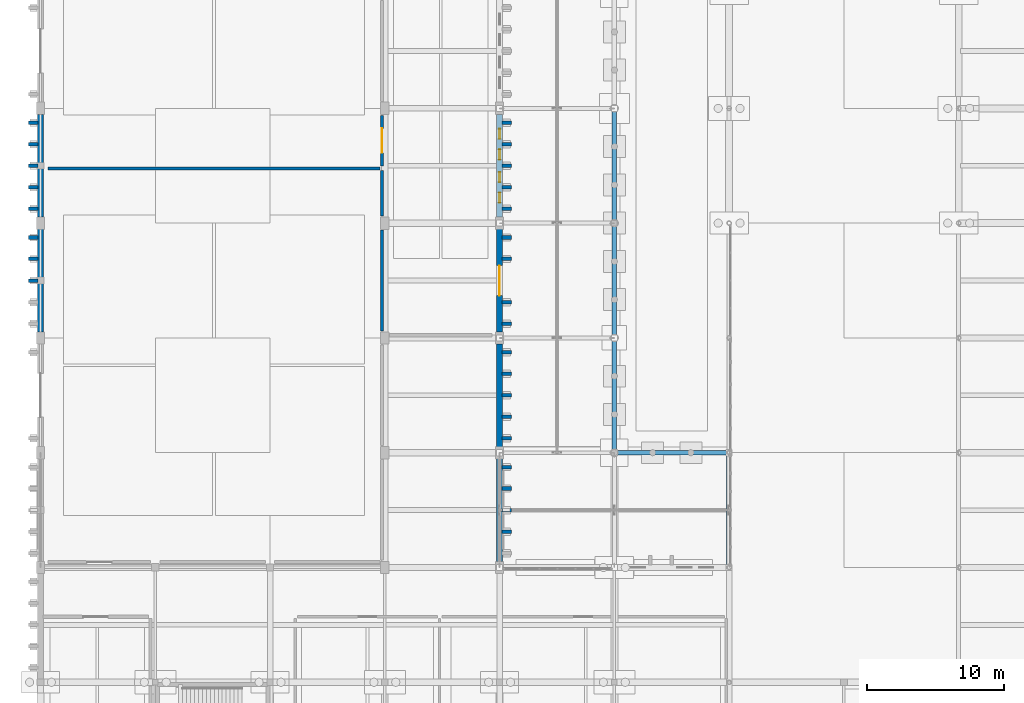
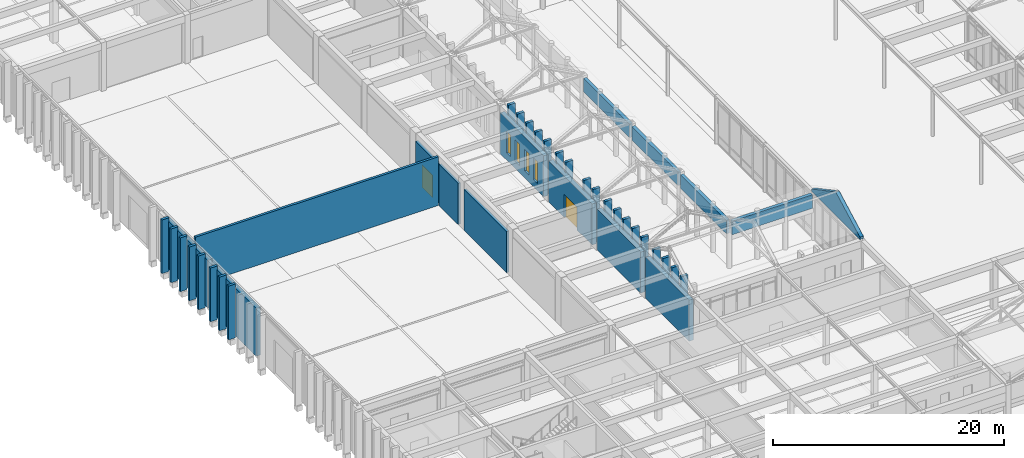
# One storey, part 109 of 143: 41 walls, 4 windows, 2 doors, 6 openings.
"""IFC4 building model written with IfcOpenShell, lengths in metres."""

from ifc_helpers import new_model, si_unit, direction, frame, frame_2d, origin, place, context, subcontext, project, spatial, polyline, rectangle, outline, extrude, material, layer, layer_set, type_object, element, fill, save


model = new_model("IFC4")

# Units and contexts
model_context = context("Model", 3, precision=1e-05, world=origin(), true_north=direction((0.0, 1.0)))
body_context = subcontext(model_context, "Body", "Model", "MODEL_VIEW")
ifc_project = project(units=[si_unit("LENGTHUNIT", "METRE"), si_unit("AREAUNIT", "SQUARE_METRE"), si_unit("VOLUMEUNIT", "CUBIC_METRE"), si_unit("PLANEANGLEUNIT", "RADIAN"), si_unit("MASSUNIT", "GRAM", prefix="KILO")], contexts=[model_context])

# Site, building, storey
site_placement = place(None, origin())
site = spatial("IfcSite", under=ifc_project, at=site_placement, CompositionType="ELEMENT")
building_placement = place(site_placement, origin())
building = spatial("IfcBuilding", under=site, at=building_placement, Name="Kveldsbrygga Polytechnic", CompositionType="ELEMENT")
storey_placement = place(building_placement, origin())
storey = spatial("IfcBuildingStorey", under=building, at=storey_placement, Name="L00", CompositionType="ELEMENT", Elevation=0.0)

# Walls
ifc_material_1 = material(Name="Fired clay brick masonry M10", Category="masonry")
ifc_layer_1 = layer(ifc_material_1, 0.320068359375)
ifc_layer_set_1 = layer_set([ifc_layer_1], Name="Fired clay brick masonry M10")
wall_type_1 = type_object("IfcWallType", Name="EW-ARC-320", PredefinedType="SOLIDWALL", material=ifc_layer_set_1)
wall_1_placement = place(storey_placement, frame((42.2099609375, 33.60009765625, 3.455078125), z_axis=(0.0, 0.0, 1.0), x_axis=(1.0, 0.0, 0.0)))
element("IfcWall", 1, at=wall_1_placement, inside=storey, type_object=wall_type_1, Name="Cloister Arcade Brick Arch Header ARC-HDR-01", PredefinedType="SOLIDWALL", context=body_context, shape_type="SweptSolid", body=[
    extrude(rectangle(XDim=8.04296875, YDim=0.320068359375, at=frame_2d((4.021484375, 0.0))), origin(), (0.0, 0.0, 1.0), 1.4248046875),
])
wall_2_placement = place(storey_placement, frame((42.0, 33.81005859375, 3.455078125), z_axis=(0.0, 0.0, 1.0), x_axis=(0.0, 1.0, 0.0)))
element("IfcWall", 2, at=wall_2_placement, inside=storey, type_object=wall_type_1, Name="Cloister Arcade Brick Arch Header ARC-HDR-03", PredefinedType="SOLIDWALL", context=body_context, shape_type="SweptSolid", body=[
    extrude(rectangle(XDim=7.97998046875, YDim=0.320068359375, at=frame_2d((3.989990234375, 0.0))), origin(), (0.0, 0.0, 1.0), 1.4248046875),
])
for number, where, z_axis, x_axis, name in (
    (3, (42.0, 42.2099609375, 3.455078125), (0.0, 0.0, 1.0), (0.0, 1.0, 0.0), "Cloister Arcade Brick Arch Header ARC-HDR-04"),
    (4, (42.0, 50.594970703125, 3.455078125), (0.0, 0.0, 1.0), (0.0, 1.0, 0.0), "Cloister Arcade Brick Arch Header ARC-HDR-05"),
):
    element("IfcWall", number, at=place(storey_placement, frame(where, z_axis=z_axis, x_axis=x_axis)), inside=storey, type_object=wall_type_1, Name=name, PredefinedType="SOLIDWALL", context=body_context, shape_type="SweptSolid", body=[
        extrude(rectangle(XDim=7.9951171875, YDim=0.320068359375, at=frame_2d((3.99755859375, 0.0))), origin(), (0.0, 0.0, 1.0), 1.4248046875),
    ])
ifc_layer_2 = layer(ifc_material_1, 0.419921875)
ifc_layer_set_2 = layer_set([ifc_layer_2], Name="Fired clay brick masonry M10")
wall_type_2 = type_object("IfcWallType", Name="EW-BRICK-420", PredefinedType="SOLIDWALL", material=ifc_layer_set_2)
for number, where, z_axis, x_axis, name in (
    (5, (0.0, 42.43505859375, 0.0), (0.0, 0.0, 1.0), (0.0, 1.0, 0.0), "Exterior Brick Wall EW-L00-Y-00-05"),
    (6, (0.0, 50.8349609375, 0.0), (0.0, 0.0, 1.0), (0.0, 1.0, 0.0), "Exterior Brick Wall EW-L00-Y-00-06"),
):
    element("IfcWall", number, at=place(storey_placement, frame(where, z_axis=z_axis, x_axis=x_axis)), inside=storey, type_object=wall_type_2, Name=name, PredefinedType="SOLIDWALL", context=body_context, shape_type="SweptSolid", body=[
        extrude(rectangle(XDim=7.530029296875, YDim=0.419921875, at=frame_2d((3.76513671875, 0.0))), origin(), (0.0, 0.0, 1.0), 5.0400390625),
    ])
for number, where, z_axis, x_axis, name in (
    (7, (33.60009765625, 25.635009765625, 0.0), (0.0, 0.0, 1.0), (0.0, 1.0, 0.0), "Exterior Brick Wall EW-L00-Y-04-03"),
    (8, (33.60009765625, 34.034912109375, 0.0), (0.0, 0.0, 1.0), (0.0, 1.0, 0.0), "Exterior Brick Wall EW-L00-Y-04-04"),
):
    element("IfcWall", number, at=place(storey_placement, frame(where, z_axis=z_axis, x_axis=x_axis)), inside=storey, type_object=wall_type_2, Name=name, PredefinedType="SOLIDWALL", context=body_context, shape_type="SweptSolid", body=[
        extrude(rectangle(XDim=7.530029296875, YDim=0.419921875, at=frame_2d((3.76513671875, 0.0))), origin(), (0.0, 0.0, 1.0), 4.35009765625),
    ])

# Wall, opening, door
wall_3_placement = place(storey_placement, frame((33.60009765625, 42.43505859375, 0.0), z_axis=(0.0, 0.0, 1.0), x_axis=(0.0, 1.0, 0.0)))
wall_3 = element("IfcWall", 9, at=wall_3_placement, inside=storey, type_object=wall_type_2, Name="Exterior Brick Wall EW-L00-Y-04-05", PredefinedType="SOLIDWALL", context=body_context, shape_type="SweptSolid", body=[
    extrude(rectangle(XDim=7.530029296875, YDim=0.419921875, at=frame_2d((3.76513671875, 0.0))), origin(), (0.0, 0.0, 1.0), 4.35009765625),
])
opening_1_placement = place(wall_3_placement, frame((2.6650390625, 0.0, 0.0)))
opening_1 = element("IfcOpeningElement", 10, at=opening_1_placement, cuts=wall_3, Name="Opening ED-02", PredefinedType="OPENING", context=body_context, shape_type="SweptSolid", body=[
    extrude(rectangle(XDim=2.199951171875, YDim=2.39990234375, at=frame_2d((1.10009765625, 1.199951171875))), frame((0.0, 0.219970703125, 0.0), z_axis=(0.0, -1.0, 0.0), x_axis=(1.0, 0.0, 0.0)), (0.0, 0.0, 1.0), 0.43994140625),
])
ifc_material_2 = material(Name="Anodised aluminium AW-6060", Category="aluminium")
door_type_1 = type_object("IfcDoorType", Name="ED-MAIN-220x240", OperationType="DOUBLE_DOOR_SINGLE_SWING", PredefinedType="DOOR", material=ifc_material_2)
door_1_placement = place(opening_1_placement, origin())
door_1 = element("IfcDoor", 11, at=door_1_placement, inside=storey, type_object=door_type_1, Name="Pedestrian Exit Door ED-02", OperationType="DOUBLE_DOOR_SINGLE_SWING", OverallHeight=2.39990234375, OverallWidth=2.199951171875, PredefinedType="DOOR", context=body_context, shape_type="SweptSolid", body=[
    extrude(rectangle(XDim=2.199951171875, YDim=2.39990234375, at=frame_2d((1.10009765625, 1.199951171875))), frame((0.0, 0.02490234375, 0.0), z_axis=(0.0, -1.0, 0.0), x_axis=(1.0, 0.0, 0.0)), (0.0, 0.0, 1.0), 0.050048828125),
])
fill(opening_1, door_1)

# Wall, openings, windows
wall_4_placement = place(storey_placement, frame((33.60009765625, 50.8349609375, 0.0), z_axis=(0.0, 0.0, 1.0), x_axis=(0.0, 1.0, 0.0)))
wall_4 = element("IfcWall", 12, at=wall_4_placement, inside=storey, type_object=wall_type_2, Name="Exterior Brick Wall EW-L00-Y-04-06", PredefinedType="SOLIDWALL", context=body_context, shape_type="SweptSolid", body=[
    extrude(rectangle(XDim=7.530029296875, YDim=0.419921875, at=frame_2d((3.76513671875, 0.0))), origin(), (0.0, 0.0, 1.0), 4.35009765625),
])
opening_2_placement = place(wall_4_placement, frame((1.060791015625, 0.0, 0.75)))
opening_2 = element("IfcOpeningElement", 13, at=opening_2_placement, cuts=wall_4, Name="Opening W-04", PredefinedType="OPENING", context=body_context, shape_type="SweptSolid", body=[
    extrude(rectangle(XDim=0.739990234375, YDim=2.300048828125, at=frame_2d((0.3701171875, 1.14990234375))), frame((0.0, 0.219970703125, 0.0), z_axis=(0.0, -1.0, 0.0), x_axis=(1.0, 0.0, 0.0)), (0.0, 0.0, 1.0), 0.43994140625),
])
opening_3_placement = place(wall_4_placement, frame((2.566650390625, 0.0, 0.75)))
opening_3 = element("IfcOpeningElement", 14, at=opening_3_placement, cuts=wall_4, Name="Opening W-04", PredefinedType="OPENING", context=body_context, shape_type="SweptSolid", body=[
    extrude(rectangle(XDim=0.739990234375, YDim=2.300048828125, at=frame_2d((0.3701171875, 1.14990234375))), frame((0.0, 0.219970703125, 0.0), z_axis=(0.0, -1.0, 0.0), x_axis=(1.0, 0.0, 0.0)), (0.0, 0.0, 1.0), 0.43994140625),
])
opening_4_placement = place(wall_4_placement, frame((4.223388671875, 0.0, 0.75)))
opening_4 = element("IfcOpeningElement", 15, at=opening_4_placement, cuts=wall_4, Name="Opening W-04", PredefinedType="OPENING", context=body_context, shape_type="SweptSolid", body=[
    extrude(rectangle(XDim=0.739990234375, YDim=2.300048828125, at=frame_2d((0.3701171875, 1.14990234375))), frame((0.0, 0.219970703125, 0.0), z_axis=(0.0, -1.0, 0.0), x_axis=(1.0, 0.0, 0.0)), (0.0, 0.0, 1.0), 0.43994140625),
])
opening_5_placement = place(wall_4_placement, frame((5.729248046875, 0.0, 0.75)))
opening_5 = element("IfcOpeningElement", 16, at=opening_5_placement, cuts=wall_4, Name="Opening W-04", PredefinedType="OPENING", context=body_context, shape_type="SweptSolid", body=[
    extrude(rectangle(XDim=0.739990234375, YDim=2.300048828125, at=frame_2d((0.3701171875, 1.14990234375))), frame((0.0, 0.219970703125, 0.0), z_axis=(0.0, -1.0, 0.0), x_axis=(1.0, 0.0, 0.0)), (0.0, 0.0, 1.0), 0.43994140625),
])
ifc_material_3 = material(Name="Insulated triple low-E glass", Category="glass")
window_type = type_object("IfcWindowType", Name="WN-LANC-074x230", PartitioningType="DOUBLE_PANEL_VERTICAL", PredefinedType="WINDOW", material=ifc_material_3)
window_1_placement = place(opening_2_placement, origin())
window_1 = element("IfcWindow", 17, at=window_1_placement, inside=storey, type_object=window_type, Name="Gothic Lancet Window WIN-L00-Y-04-06-1", OverallHeight=2.300048828125, OverallWidth=0.739990234375, PartitioningType="DOUBLE_PANEL_VERTICAL", PredefinedType="WINDOW", context=body_context, shape_type="SweptSolid", body=[
    extrude(rectangle(XDim=0.739990234375, YDim=2.300048828125, at=frame_2d((0.3701171875, 1.14990234375))), frame((0.0, 0.030029296875, 0.0), z_axis=(0.0, -1.0, 0.0), x_axis=(1.0, 0.0, 0.0)), (0.0, 0.0, 1.0), 0.06005859375),
])
fill(opening_2, window_1)
window_2_placement = place(opening_3_placement, origin())
window_2 = element("IfcWindow", 18, at=window_2_placement, inside=storey, type_object=window_type, Name="Gothic Lancet Window WIN-L00-Y-04-06-2", OverallHeight=2.300048828125, OverallWidth=0.739990234375, PartitioningType="DOUBLE_PANEL_VERTICAL", PredefinedType="WINDOW", context=body_context, shape_type="SweptSolid", body=[
    extrude(rectangle(XDim=0.739990234375, YDim=2.300048828125, at=frame_2d((0.3701171875, 1.14990234375))), frame((0.0, 0.030029296875, 0.0), z_axis=(0.0, -1.0, 0.0), x_axis=(1.0, 0.0, 0.0)), (0.0, 0.0, 1.0), 0.06005859375),
])
fill(opening_3, window_2)
window_3_placement = place(opening_4_placement, origin())
window_3 = element("IfcWindow", 19, at=window_3_placement, inside=storey, type_object=window_type, Name="Gothic Lancet Window WIN-L00-Y-04-06-3", OverallHeight=2.300048828125, OverallWidth=0.739990234375, PartitioningType="DOUBLE_PANEL_VERTICAL", PredefinedType="WINDOW", context=body_context, shape_type="SweptSolid", body=[
    extrude(rectangle(XDim=0.739990234375, YDim=2.300048828125, at=frame_2d((0.3701171875, 1.14990234375))), frame((0.0, 0.030029296875, 0.0), z_axis=(0.0, -1.0, 0.0), x_axis=(1.0, 0.0, 0.0)), (0.0, 0.0, 1.0), 0.06005859375),
])
fill(opening_4, window_3)
window_4_placement = place(opening_5_placement, origin())
window_4 = element("IfcWindow", 20, at=window_4_placement, inside=storey, type_object=window_type, Name="Gothic Lancet Window WIN-L00-Y-04-06-4", OverallHeight=2.300048828125, OverallWidth=0.739990234375, PartitioningType="DOUBLE_PANEL_VERTICAL", PredefinedType="WINDOW", context=body_context, shape_type="SweptSolid", body=[
    extrude(rectangle(XDim=0.739990234375, YDim=2.300048828125, at=frame_2d((0.3701171875, 1.14990234375))), frame((0.0, 0.030029296875, 0.0), z_axis=(0.0, -1.0, 0.0), x_axis=(1.0, 0.0, 0.0)), (0.0, 0.0, 1.0), 0.06005859375),
])
fill(opening_5, window_4)

# Walls
ifc_layer_3 = layer(ifc_material_1, 0.260009765625)
ifc_layer_set_3 = layer_set([ifc_layer_3], Name="Fired clay brick masonry M10")
wall_type_3 = type_object("IfcWallType", Name="EW-BUTT-260", PredefinedType="SOLIDWALL", material=ifc_layer_set_3)
for number, where, z_axis, x_axis, name in (
    (21, (-0.1650390625, 46.199951171875, -0.25), (0.0, 0.0, 1.0), (-1.0, 0.0, 0.0), "Gothic Brick Buttress Pier BUTT-L00-Y-00-05-3"),
    (22, (-0.1650390625, 47.780029296875, -0.25), (0.0, 0.0, 1.0), (-1.0, 0.0, 0.0), "Gothic Brick Buttress Pier BUTT-L00-Y-00-05-4"),
    (23, (-0.1650390625, 49.35009765625, -0.25), (0.0, 0.0, 1.0), (-1.0, 0.0, 0.0), "Gothic Brick Buttress Pier BUTT-L00-Y-00-05-5"),
    (24, (-0.1650390625, 51.449951171875, -0.25), (0.0, 0.0, 1.0), (-1.0, 0.0, 0.0), "Gothic Brick Buttress Pier BUTT-L00-Y-00-06-1"),
    (25, (-0.1650390625, 53.02001953125, -0.25), (0.0, 0.0, 1.0), (-1.0, 0.0, 0.0), "Gothic Brick Buttress Pier BUTT-L00-Y-00-06-2"),
    (26, (-0.1650390625, 54.60009765625, -0.25), (0.0, 0.0, 1.0), (-1.0, 0.0, 0.0), "Gothic Brick Buttress Pier BUTT-L00-Y-00-06-3"),
    (27, (-0.1650390625, 56.179931640625, -0.25), (0.0, 0.0, 1.0), (-1.0, 0.0, 0.0), "Gothic Brick Buttress Pier BUTT-L00-Y-00-06-4"),
    (28, (-0.1650390625, 57.75, -0.25), (0.0, 0.0, 1.0), (-1.0, 0.0, 0.0), "Gothic Brick Buttress Pier BUTT-L00-Y-00-06-5"),
):
    element("IfcWall", number, at=place(storey_placement, frame(where, z_axis=z_axis, x_axis=x_axis)), inside=storey, type_object=wall_type_3, Name=name, PredefinedType="SOLIDWALL", context=body_context, shape_type="SweptSolid", body=[
        extrude(rectangle(XDim=0.699951171875, YDim=0.260009765625, at=frame_2d((0.35009765625, 0.0))), origin(), (0.0, 0.0, 1.0), 5.68994140625),
    ])
for number, where, z_axis, x_axis, name in (
    (29, (33.764892578125, 27.820068359375, -0.25), (0.0, 0.0, 1.0), (1.0, 0.0, 0.0), "Gothic Brick Buttress Pier BUTT-L00-Y-04-03-2"),
    (30, (33.764892578125, 29.39990234375, -0.25), (0.0, 0.0, 1.0), (1.0, 0.0, 0.0), "Gothic Brick Buttress Pier BUTT-L00-Y-04-03-3"),
    (31, (33.764892578125, 30.97998046875, -0.25), (0.0, 0.0, 1.0), (1.0, 0.0, 0.0), "Gothic Brick Buttress Pier BUTT-L00-Y-04-03-4"),
    (32, (33.764892578125, 32.550048828125, -0.25), (0.0, 0.0, 1.0), (1.0, 0.0, 0.0), "Gothic Brick Buttress Pier BUTT-L00-Y-04-03-5"),
    (33, (33.764892578125, 34.64990234375, -0.25), (0.0, 0.0, 1.0), (1.0, 0.0, 0.0), "Gothic Brick Buttress Pier BUTT-L00-Y-04-04-1"),
    (34, (33.764892578125, 36.219970703125, -0.25), (0.0, 0.0, 1.0), (1.0, 0.0, 0.0), "Gothic Brick Buttress Pier BUTT-L00-Y-04-04-2"),
    (35, (33.764892578125, 37.800048828125, -0.25), (0.0, 0.0, 1.0), (1.0, 0.0, 0.0), "Gothic Brick Buttress Pier BUTT-L00-Y-04-04-3"),
    (36, (33.764892578125, 39.3798828125, -0.25), (0.0, 0.0, 1.0), (1.0, 0.0, 0.0), "Gothic Brick Buttress Pier BUTT-L00-Y-04-04-4"),
    (37, (33.764892578125, 40.949951171875, -0.25), (0.0, 0.0, 1.0), (1.0, 0.0, 0.0), "Gothic Brick Buttress Pier BUTT-L00-Y-04-04-5"),
    (38, (33.764892578125, 43.050048828125, -0.25), (0.0, 0.0, 1.0), (1.0, 0.0, 0.0), "Gothic Brick Buttress Pier BUTT-L00-Y-04-05-1"),
    (39, (33.764892578125, 44.6201171875, -0.25), (0.0, 0.0, 1.0), (1.0, 0.0, 0.0), "Gothic Brick Buttress Pier BUTT-L00-Y-04-05-2"),
    (40, (33.764892578125, 47.780029296875, -0.25), (0.0, 0.0, 1.0), (1.0, 0.0, 0.0), "Gothic Brick Buttress Pier BUTT-L00-Y-04-05-4"),
    (41, (33.764892578125, 49.35009765625, -0.25), (0.0, 0.0, 1.0), (1.0, 0.0, 0.0), "Gothic Brick Buttress Pier BUTT-L00-Y-04-05-5"),
    (42, (33.764892578125, 51.449951171875, -0.25), (0.0, 0.0, 1.0), (1.0, 0.0, 0.0), "Gothic Brick Buttress Pier BUTT-L00-Y-04-06-1"),
    (43, (33.764892578125, 53.02001953125, -0.25), (0.0, 0.0, 1.0), (1.0, 0.0, 0.0), "Gothic Brick Buttress Pier BUTT-L00-Y-04-06-2"),
    (44, (33.764892578125, 54.60009765625, -0.25), (0.0, 0.0, 1.0), (1.0, 0.0, 0.0), "Gothic Brick Buttress Pier BUTT-L00-Y-04-06-3"),
    (45, (33.764892578125, 56.179931640625, -0.25), (0.0, 0.0, 1.0), (1.0, 0.0, 0.0), "Gothic Brick Buttress Pier BUTT-L00-Y-04-06-4"),
    (46, (33.764892578125, 57.75, -0.25), (0.0, 0.0, 1.0), (1.0, 0.0, 0.0), "Gothic Brick Buttress Pier BUTT-L00-Y-04-06-5"),
):
    element("IfcWall", number, at=place(storey_placement, frame(where, z_axis=z_axis, x_axis=x_axis)), inside=storey, type_object=wall_type_3, Name=name, PredefinedType="SOLIDWALL", context=body_context, shape_type="SweptSolid", body=[
        extrude(rectangle(XDim=0.7001953125, YDim=0.260009765625, at=frame_2d((0.35009765625, 0.0))), origin(), (0.0, 0.0, 1.0), 5.68994140625),
    ])
ifc_layer_4 = layer(ifc_material_1, 0.35009765625)
ifc_layer_set_4 = layer_set([ifc_layer_4], Name="Fired clay brick masonry M10")
wall_type_4 = type_object("IfcWallType", Name="EW-GABLE-350", PredefinedType="SOLIDWALL", material=ifc_layer_set_4)
wall_5_placement = place(storey_placement, frame((50.39990234375, 25.199951171875, 5.14501953125), z_axis=(0.0, 0.0, 1.0), x_axis=(0.0, 1.0, 0.0)))
element("IfcWall", 47, at=wall_5_placement, inside=storey, type_object=wall_type_4, Name="Brick Gable Tympanum GBL-ARC-WS-B", PredefinedType="SOLIDWALL", context=body_context, shape_type="SweptSolid", body=[
    extrude(outline(polyline([(0.0, 0.0), (8.400146484375, 0.0), (8.39990234375, 0.25), (4.199951171875, 2.48876953125), (0.0, 0.25), (0.0, 0.0)])), frame((0.0, 0.175048828125, 0.0), z_axis=(0.0, -1.0, 0.0), x_axis=(1.0, 0.0, 0.0)), (0.0, 0.0, 1.0), 0.35009765625),
])
ifc_layer_5 = layer(ifc_material_1, 0.239990234375)
ifc_layer_set_5 = layer_set([ifc_layer_5], Name="Fired clay brick masonry M10")
wall_type_5 = type_object("IfcWallType", Name="IW-COMP-240", PredefinedType="PARTITIONING", material=ifc_layer_set_5)
wall_6_placement = place(storey_placement, frame((0.550048828125, 54.39990234375, 0.0), z_axis=(0.0, 0.0, 1.0), x_axis=(1.0, 0.0, 0.0)))
element("IfcWall", 48, at=wall_6_placement, inside=storey, type_object=wall_type_5, Name="Partition Wall IW-SP-L00-WK1-N1", PredefinedType="PARTITIONING", context=body_context, shape_type="SweptSolid", body=[
    extrude(rectangle(XDim=24.300048828125, YDim=0.239990234375, at=frame_2d((12.14990234375, 0.0))), origin(), (0.0, 0.0, 1.0), 5.139892578125),
])
wall_7_placement = place(storey_placement, frame((25.0, 42.510009765625, 0.0), z_axis=(0.0, 0.0, 1.0), x_axis=(0.0, 1.0, 0.0)))
element("IfcWall", 49, at=wall_7_placement, inside=storey, type_object=wall_type_5, Name="Partition Wall IW-SP-L00-WK1-E3", PredefinedType="PARTITIONING", context=body_context, shape_type="SweptSolid", body=[
    extrude(rectangle(XDim=7.3798828125, YDim=0.239990234375, at=frame_2d((3.68994140625, 0.0))), origin(), (0.0, 0.0, 1.0), 4.35009765625),
])
wall_8_placement = place(storey_placement, frame((25.0, 50.909912109375, 0.0), z_axis=(0.0, 0.0, 1.0), x_axis=(0.0, 1.0, 0.0)))
element("IfcWall", 50, at=wall_8_placement, inside=storey, type_object=wall_type_5, Name="Partition Wall IW-SP-L00-WK1-E4", PredefinedType="PARTITIONING", context=body_context, shape_type="SweptSolid", body=[
    extrude(rectangle(XDim=3.340087890625, YDim=0.239990234375, at=frame_2d((1.669921875, 0.0))), origin(), (0.0, 0.0, 1.0), 4.35009765625),
])

# Wall, opening, door
wall_9_placement = place(storey_placement, frame((25.0, 54.580078125, 0.0), z_axis=(0.0, 0.0, 1.0), x_axis=(0.0, 1.0, 0.0)))
wall_9 = element("IfcWall", 51, at=wall_9_placement, inside=storey, type_object=wall_type_5, Name="Partition Wall IW-SP-L00-WK2-E1", PredefinedType="PARTITIONING", context=body_context, shape_type="SweptSolid", body=[
    extrude(rectangle(XDim=3.7099609375, YDim=0.239990234375, at=frame_2d((1.85498046875, 0.0))), origin(), (0.0, 0.0, 1.0), 4.35009765625),
])
opening_6_placement = place(wall_9_placement, frame((0.955078125, 0.0, 0.0)))
opening_6 = element("IfcOpeningElement", 52, at=opening_6_placement, cuts=wall_9, Name="Opening ID-L00-017", PredefinedType="OPENING", context=body_context, shape_type="SweptSolid", body=[
    extrude(rectangle(XDim=1.800048828125, YDim=2.39990234375, at=frame_2d((0.89990234375, 1.199951171875))), frame((0.0, 0.1298828125, 0.0), z_axis=(0.0, -1.0, 0.0), x_axis=(1.0, 0.0, 0.0)), (0.0, 0.0, 1.0), 0.260009765625),
])
ifc_material_4 = material(Name="Powder-coated galvanised steel", Category="steel")
door_type_2 = type_object("IfcDoorType", Name="ID-WRK-180x240", OperationType="DOUBLE_DOOR_SINGLE_SWING", PredefinedType="DOOR", material=ifc_material_4)
door_2_placement = place(opening_6_placement, origin())
door_2 = element("IfcDoor", 53, at=door_2_placement, inside=storey, type_object=door_type_2, Name="Interior Door ID-L00-017", OperationType="DOUBLE_DOOR_SINGLE_SWING", OverallHeight=2.39990234375, OverallWidth=1.800048828125, PredefinedType="DOOR", context=body_context, shape_type="SweptSolid", body=[
    extrude(rectangle(XDim=1.800048828125, YDim=2.39990234375, at=frame_2d((0.89990234375, 1.199951171875))), frame((0.0, 0.02490234375, 0.0), z_axis=(0.0, -1.0, 0.0), x_axis=(1.0, 0.0, 0.0)), (0.0, 0.0, 1.0), 0.050048828125),
])
fill(opening_6, door_2)

save(model, "model.ifc")
